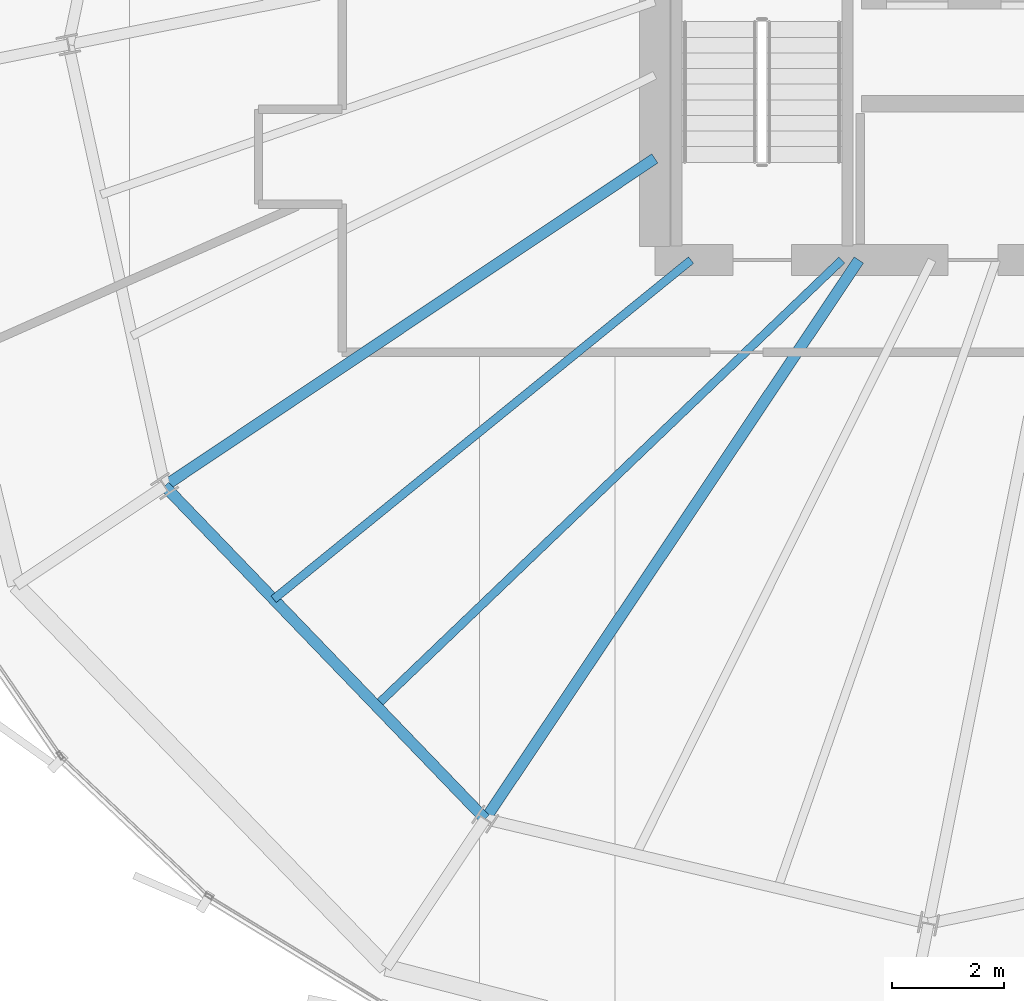
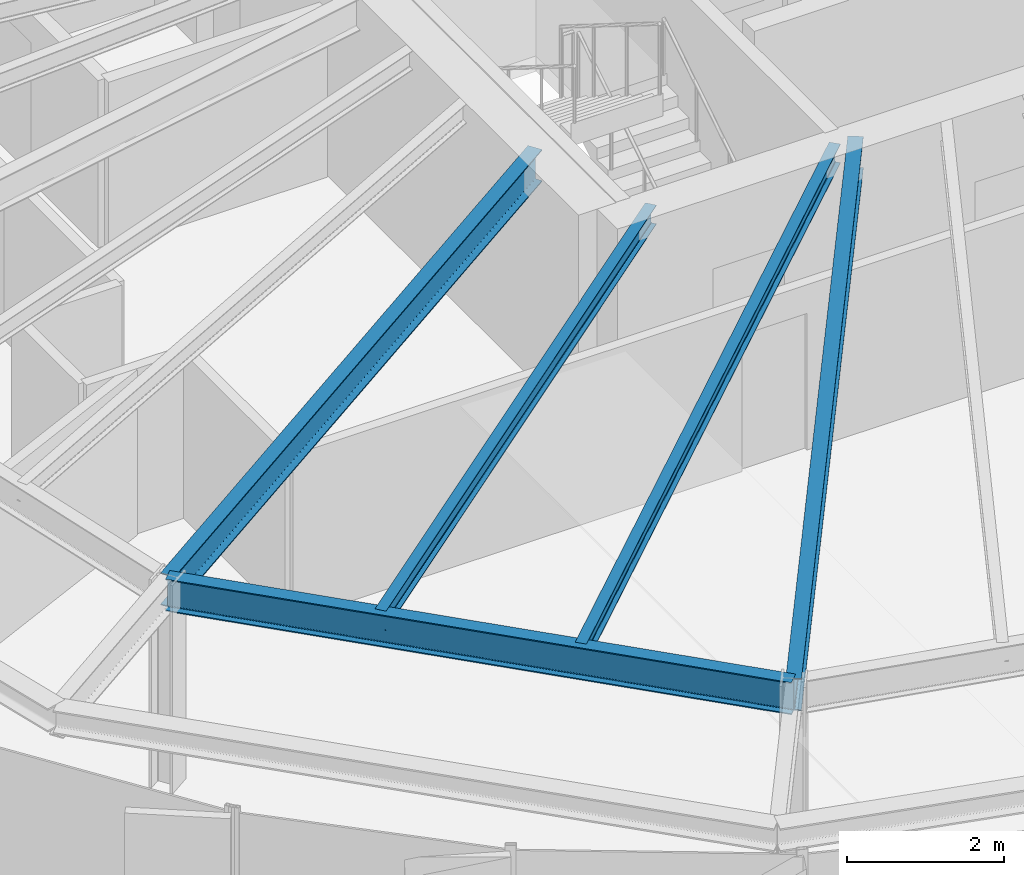
# One storey, part 5 of 36: 5 beams.
"""IFC4 building model written with IfcOpenShell, lengths in metres."""

from ifc_helpers import new_model, si_unit, direction, frame, origin, origin_2d, place, context, subcontext, project, spatial, i_section, extrude, source, transform, mapped, material, material_profile, profile_set, type_object, element, save


model = new_model("IFC4")

# Units and contexts
model_context = context("Model", 3, precision=1e-05, world=origin(), true_north=direction((0.0, 1.0)))
body_context = subcontext(model_context, "Body", "Model", "MODEL_VIEW")
ifc_project = project(units=[si_unit("LENGTHUNIT", "METRE"), si_unit("AREAUNIT", "SQUARE_METRE"), si_unit("VOLUMEUNIT", "CUBIC_METRE"), si_unit("PLANEANGLEUNIT", "RADIAN"), si_unit("MASSUNIT", "GRAM", prefix="KILO"), si_unit("THERMODYNAMICTEMPERATUREUNIT", "KELVIN")], contexts=[model_context])

# Site, building, storey
site_placement = place(None, origin())
site = spatial("IfcSite", under=ifc_project, at=site_placement, CompositionType="ELEMENT")
building_placement = place(site_placement, origin())
building = spatial("IfcBuilding", under=site, at=building_placement, Name="Kethvar Cultural Tower", CompositionType="ELEMENT")
storey_placement = place(building_placement, frame((0.0, 0.0, 197.39990234375)))
storey = spatial("IfcBuildingStorey", under=building, at=storey_placement, Name="L51", CompositionType="ELEMENT", Elevation=197.39990234375)

# Beams
ifc_material = material(Name="Steel S355J2", Category="steel")
ifc_material_profile_1 = material_profile(ifc_material, i_section(OverallWidth=0.199951171875, OverallDepth=0.5, WebThickness=0.01025390625, FlangeThickness=0.01611328125, FilletRadius=0.02099609375, at=origin_2d()), Name="Steel S355J2 — IPE500")
ifc_profile_set_1 = profile_set([ifc_material_profile_1], Name="Steel S355J2 — IPE500")
beam_type_1 = type_object("IfcBeamType", Name="BM-IPE500", PredefinedType="BEAM", material=ifc_profile_set_1)
shared_shape_1 = source(origin(), body_context, "Body", "SweptSolid", [
    extrude(i_section(OverallWidth=0.199951171875, OverallDepth=0.5, WebThickness=0.01025390625, FlangeThickness=0.01611328125, FilletRadius=0.02099609375, at=origin_2d()), origin(), (0.0, 0.0, 1.0), 10.562744140625),
])
beam_1_placement = place(storey_placement, frame((38.0, 21.920166015625, 3.008056640625), z_axis=(-0.831463100754, -0.555579978117, 0.0), x_axis=(0.555579978117, -0.831463100754, 0.0)))
element("IfcBeam", 1, at=beam_1_placement, inside=storey, type_object=beam_type_1, Name="L51 Primary Radial Beam RB-10", PredefinedType="BEAM", context=body_context, shape_type="MappedRepresentation", body=[
    mapped(shared_shape_1, transform((0.0, 0.0, 0.0), scale=1.0)),
])
shared_shape_2 = source(origin(), body_context, "Body", "SweptSolid", [
    extrude(i_section(OverallWidth=0.199951171875, OverallDepth=0.5, WebThickness=0.01025390625, FlangeThickness=0.01611328125, FilletRadius=0.02099609375, at=origin_2d()), origin(), (0.0, 0.0, 1.0), 12.0458984375),
])
beam_2_placement = place(storey_placement, frame((41.655029296875, 20.10009765625, 3.008056640625), z_axis=(-0.555569831996, -0.831469880258, 0.0), x_axis=(0.831469880258, -0.555569831996, 0.0)))
element("IfcBeam", 2, at=beam_2_placement, inside=storey, type_object=beam_type_1, Name="L51 Primary Radial Beam RB-11", PredefinedType="BEAM", context=body_context, shape_type="MappedRepresentation", body=[
    mapped(shared_shape_2, transform((0.0, 0.0, 0.0), scale=1.0)),
])
shared_shape_3 = source(origin(), body_context, "Body", "SweptSolid", [
    extrude(i_section(OverallWidth=0.199951171875, OverallDepth=0.5, WebThickness=0.01025390625, FlangeThickness=0.01611328125, FilletRadius=0.02099609375, at=origin_2d()), origin(), (0.0, 0.0, 1.0), 8.28369140625),
])
beam_3_placement = place(storey_placement, frame((29.217529296875, 16.0517578125, 3.008056640625), z_axis=(0.693554459208, -0.72040420051, 0.0), x_axis=(0.72040420051, 0.693554459208, 0.0)))
element("IfcBeam", 3, at=beam_3_placement, inside=storey, type_object=beam_type_1, Name="L51 Column Ring Tie Beam CR-10", PredefinedType="BEAM", context=body_context, shape_type="MappedRepresentation", body=[
    mapped(shared_shape_3, transform((0.0, 0.0, 0.0), scale=1.0)),
])
ifc_material_profile_2 = material_profile(ifc_material, i_section(OverallWidth=0.14990234375, OverallDepth=0.300048828125, WebThickness=0.007080078125, FlangeThickness=0.0107421875, FilletRadius=0.014892578125, at=origin_2d()), Name="Steel S355J2 — IPE300")
ifc_profile_set_2 = profile_set([ifc_material_profile_2], Name="Steel S355J2 — IPE300")
beam_type_2 = type_object("IfcBeamType", Name="BM-J300", PredefinedType="JOIST", material=ifc_profile_set_2)
shared_shape_4 = source(origin(), body_context, "Body", "SweptSolid", [
    extrude(i_section(OverallWidth=0.14990234375, OverallDepth=0.300048828125, WebThickness=0.007080078125, FlangeThickness=0.0107421875, FilletRadius=0.014892578125, at=origin_2d()), origin(), (0.0, 0.0, 1.0), 9.63671875),
])
beam_4_placement = place(storey_placement, frame((38.64990234375, 20.10009765625, 3.108154296875), z_axis=(-0.776090751649, -0.630621237515, 0.0), x_axis=(0.630621237515, -0.776090751649, 0.0)))
element("IfcBeam", 4, at=beam_4_placement, inside=storey, type_object=beam_type_2, Name="L51 Composite Floor Joist J-10A", PredefinedType="JOIST", context=body_context, shape_type="MappedRepresentation", body=[
    mapped(shared_shape_4, transform((0.0, 0.0, 0.0), scale=1.0)),
])
shared_shape_5 = source(origin(), body_context, "Body", "SweptSolid", [
    extrude(i_section(OverallWidth=0.14990234375, OverallDepth=0.300048828125, WebThickness=0.007080078125, FlangeThickness=0.0107421875, FilletRadius=0.014892578125, at=origin_2d()), origin(), (0.0, 0.0, 1.0), 11.548095703125),
])
beam_5_placement = place(storey_placement, frame((41.35009765625, 20.10009765625, 3.108154296875), z_axis=(-0.722268013472, -0.691613271067, 0.0), x_axis=(0.691613271067, -0.722268013472, 0.0)))
element("IfcBeam", 5, at=beam_5_placement, inside=storey, type_object=beam_type_2, Name="L51 Composite Floor Joist J-10B", PredefinedType="JOIST", context=body_context, shape_type="MappedRepresentation", body=[
    mapped(shared_shape_5, transform((0.0, 0.0, 0.0), scale=1.0)),
])

save(model, "model.ifc")
